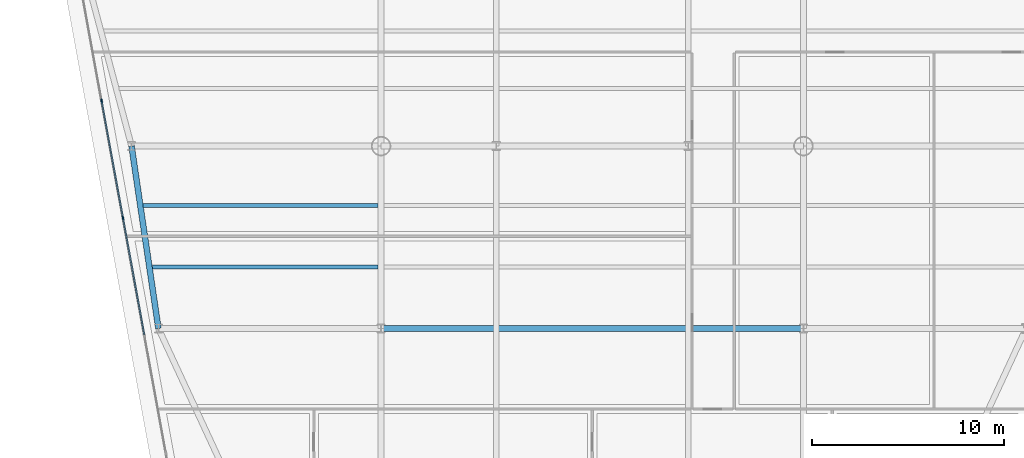
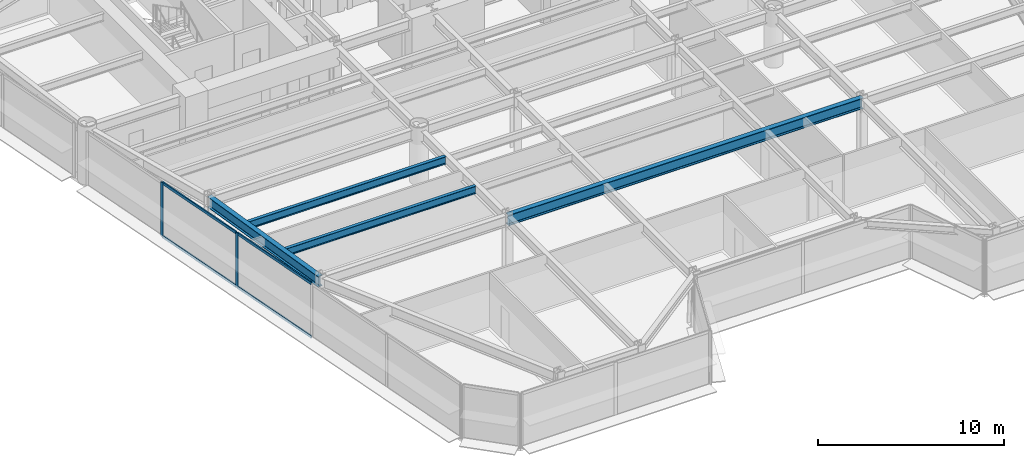
# One storey, part 3 of 15: 6 members, 4 beams, 1 element without a shape of its own.
"""IFC4 building model written with IfcOpenShell, lengths in metres."""

from ifc_helpers import new_model, si_unit, direction, frame, origin, origin_2d, place, context, subcontext, project, spatial, rectangle, i_section, extrude, source, transform, mapped, material, layer, layer_set, material_profile, profile_set, type_object, element, aggregate, save


model = new_model("IFC4")

# Units and contexts
model_context = context("Model", 3, precision=1e-05, world=origin(), true_north=direction((0.0, 1.0)))
body_context = subcontext(model_context, "Body", "Model", "MODEL_VIEW")
ifc_project = project(units=[si_unit("LENGTHUNIT", "METRE"), si_unit("AREAUNIT", "SQUARE_METRE"), si_unit("VOLUMEUNIT", "CUBIC_METRE"), si_unit("PLANEANGLEUNIT", "RADIAN"), si_unit("MASSUNIT", "GRAM", prefix="KILO")], contexts=[model_context])

# Site, building, storey
site_placement = place(None, origin())
site = spatial("IfcSite", under=ifc_project, at=site_placement, CompositionType="ELEMENT")
building_placement = place(site_placement, origin())
building = spatial("IfcBuilding", under=site, at=building_placement, Name="Vaeldorn Concourse Tower", CompositionType="ELEMENT")
storey_placement = place(building_placement, frame((0.0, 0.0, 95.800048828125)))
storey = spatial("IfcBuildingStorey", under=building, at=storey_placement, Name="L24", CompositionType="ELEMENT", Elevation=95.800048828125)

# Beams
ifc_material_1 = material(Name="Steel S355", Category="steel")
ifc_material_profile_1 = material_profile(ifc_material_1, i_section(OverallWidth=0.199951171875, OverallDepth=0.5, WebThickness=0.01025390625, FlangeThickness=0.01611328125, FilletRadius=0.02099609375, at=origin_2d()), Name="IPE 500")
ifc_profile_set_1 = profile_set([ifc_material_profile_1], Name="Steel S355")
beam_type_1 = type_object("IfcBeamType", Name="BM-JS-IPE500", PredefinedType="JOIST", material=ifc_profile_set_1)
shared_shape_1 = source(origin(), body_context, "Body", "SweptSolid", [
    extrude(i_section(OverallWidth=0.199951171875, OverallDepth=0.5, WebThickness=0.01025390625, FlangeThickness=0.01611328125, FilletRadius=0.02099609375, at=origin_2d()), origin(), (0.0, 0.0, 1.0), 11.771728515625),
])
beam_1_placement = place(storey_placement, frame((11.078369140625, 21.199951171875, 3.329833984375), z_axis=(1.0, 0.0, 0.0), x_axis=(0.0, 1.0, 0.0)))
element("IfcBeam", 1, at=beam_1_placement, inside=storey, type_object=beam_type_1, Name="Beam JS-L24-W1-212", PredefinedType="JOIST", context=body_context, shape_type="MappedRepresentation", body=[
    mapped(shared_shape_1, transform((0.0, 0.0, 0.0), scale=1.0)),
])
shared_shape_2 = source(origin(), body_context, "Body", "SweptSolid", [
    extrude(i_section(OverallWidth=0.199951171875, OverallDepth=0.5, WebThickness=0.01025390625, FlangeThickness=0.01611328125, FilletRadius=0.02099609375, at=origin_2d()), origin(), (0.0, 0.0, 1.0), 12.243408203125),
])
beam_2_placement = place(storey_placement, frame((10.606689453125, 24.39990234375, 3.329833984375), z_axis=(1.0, 0.0, 0.0), x_axis=(0.0, 1.0, 0.0)))
element("IfcBeam", 2, at=beam_2_placement, inside=storey, type_object=beam_type_1, Name="Beam JS-L24-W1-244", PredefinedType="JOIST", context=body_context, shape_type="MappedRepresentation", body=[
    mapped(shared_shape_2, transform((0.0, 0.0, 0.0), scale=1.0)),
])
ifc_material_profile_2 = material_profile(ifc_material_1, i_section(OverallWidth=0.300048828125, OverallDepth=0.699951171875, WebThickness=0.01708984375, FlangeThickness=0.031982421875, FilletRadius=0.027099609375, at=origin_2d()), Name="HEB 700")
ifc_profile_set_2 = profile_set([ifc_material_profile_2], Name="Steel S355")
beam_type_2 = type_object("IfcBeamType", Name="BM-PG-HEB700", PredefinedType="BEAM", material=ifc_profile_set_2)
shared_shape_3 = source(origin(), body_context, "Body", "SweptSolid", [
    extrude(i_section(OverallWidth=0.300048828125, OverallDepth=0.699951171875, WebThickness=0.01708984375, FlangeThickness=0.031982421875, FilletRadius=0.027099609375, at=origin_2d()), origin(), (0.0, 0.0, 1.0), 9.6025390625),
])
beam_3_placement = place(storey_placement, frame((10.0, 27.5, 3.22998046875), z_axis=(0.145783835977, -0.989316467652, 0.0), x_axis=(0.989316467652, 0.145783835977, 0.0)))
element("IfcBeam", 3, at=beam_3_placement, inside=storey, type_object=beam_type_2, Name="Beam BM-L24-C-FLW1-C-FLW2", PredefinedType="BEAM", context=body_context, shape_type="MappedRepresentation", body=[
    mapped(shared_shape_3, transform((0.0, 0.0, 0.0), scale=1.0)),
])
shared_shape_4 = source(origin(), body_context, "Body", "SweptSolid", [
    extrude(i_section(OverallWidth=0.300048828125, OverallDepth=0.699951171875, WebThickness=0.01708984375, FlangeThickness=0.031982421875, FilletRadius=0.027099609375, at=origin_2d()), origin(), (0.0, 0.0, 1.0), 22.0),
])
beam_4_placement = place(storey_placement, frame((23.0, 18.0, 3.22998046875), z_axis=(1.0, 0.0, 0.0), x_axis=(0.0, 1.0, 0.0)))
element("IfcBeam", 4, at=beam_4_placement, inside=storey, type_object=beam_type_2, Name="Beam BM-L24-C-TW5-C-TW6", PredefinedType="BEAM", context=body_context, shape_type="MappedRepresentation", body=[
    mapped(shared_shape_4, transform((0.0, 0.0, 0.0), scale=1.0)),
])

# Curtain wall, members
ifc_material_2 = material(Name="Anodised Bronze Aluminium", Category="aluminium")
ifc_layer = layer(ifc_material_2, 0.199951171875)
ifc_layer_set = layer_set([ifc_layer], Name="Anodised Bronze Aluminium")
curtain_wall_type = type_object("IfcCurtainWallType", Name="CW-SYS-02", PredefinedType="NOTDEFINED", material=ifc_layer_set)
curtain_wall_placement = place(storey_placement, origin())
curtain_wall = element("IfcCurtainWall", 5, at=curtain_wall_placement, inside=storey, type_object=curtain_wall_type, Name="Unitised Curtain Wall CW-L24-E11-2", PredefinedType="NOTDEFINED")
ifc_material_profile_3 = material_profile(ifc_material_2, rectangle(XDim=0.074951171875, YDim=0.18994140625, at=origin_2d()), Name="CWM 75x190")
ifc_profile_set_3 = profile_set([ifc_material_profile_3], Name="Anodised Bronze Aluminium")
member_type_1 = type_object("IfcMemberType", Name="CWM-BRONZE-190", PredefinedType="MULLION", material=ifc_profile_set_3)
shared_shape_5 = source(origin(), body_context, "Body", "SweptSolid", [
    extrude(rectangle(XDim=0.074951171875, YDim=0.18994140625, at=origin_2d()), origin(), (0.0, 0.0, 1.0), 3.579833984375),
])
member_1_placement = place(storey_placement, frame((8.4375, 29.8671875, 0.0), z_axis=(0.0, 0.0, 1.0), x_axis=(0.983745706576, 0.179567215253, 0.0)))
member_1 = element("IfcMember", 6, at=member_1_placement, type_object=member_type_1, Name="CW-02 mullion 2", PredefinedType="MULLION", context=body_context, shape_type="MappedRepresentation", body=[
    mapped(shared_shape_5, transform((0.0, 0.0, 0.0), scale=1.0)),
])
member_2_placement = place(storey_placement, frame((9.5537109375, 23.75244140625, 0.0), z_axis=(0.0, 0.0, 1.0), x_axis=(0.983745706576, 0.179567215253, 0.0)))
member_2 = element("IfcMember", 7, at=member_2_placement, type_object=member_type_1, Name="CW-02 mullion 3", PredefinedType="MULLION", context=body_context, shape_type="MappedRepresentation", body=[
    mapped(shared_shape_5, transform((0.0, 0.0, 0.0), scale=1.0)),
])
ifc_material_profile_4 = material_profile(ifc_material_2, rectangle(XDim=0.074951171875, YDim=0.179931640625, at=origin_2d()), Name="CWT 75x180")
ifc_profile_set_4 = profile_set([ifc_material_profile_4], Name="Anodised Bronze Aluminium")
member_type_2 = type_object("IfcMemberType", Name="CWT-BRONZE-180", PredefinedType="USERDEFINED", material=ifc_profile_set_4)
shared_shape_6 = source(origin(), body_context, "Body", "SweptSolid", [
    extrude(rectangle(XDim=0.074951171875, YDim=0.179931640625, at=origin_2d()), origin(), (0.0, 0.0, 1.0), 6.140869140625),
])
member_3_placement = place(storey_placement, frame((8.4443359375, 29.830322265625, 0.037353515625), z_axis=(0.179543139968, -0.983750100834, 0.0), x_axis=(0.983750100834, 0.179543139968, 0.0)))
member_3 = element("IfcMember", 8, at=member_3_placement, type_object=member_type_2, Name="CW-02 transom 2.1", ObjectType="TRANSOM", PredefinedType="USERDEFINED", context=body_context, shape_type="MappedRepresentation", body=[
    mapped(shared_shape_6, transform((0.0, 0.0, 0.0), scale=1.0)),
])
member_4_placement = place(storey_placement, frame((8.4443359375, 29.830322265625, 3.54248046875), z_axis=(0.179543139968, -0.983750100834, 0.0), x_axis=(0.983750100834, 0.179543139968, 0.0)))
member_4 = element("IfcMember", 9, at=member_4_placement, type_object=member_type_2, Name="CW-02 transom 2.2", ObjectType="TRANSOM", PredefinedType="USERDEFINED", context=body_context, shape_type="MappedRepresentation", body=[
    mapped(shared_shape_6, transform((0.0, 0.0, 0.0), scale=1.0)),
])
member_5_placement = place(storey_placement, frame((9.560546875, 23.715576171875, 0.037353515625), z_axis=(0.179543139968, -0.983750100834, 0.0), x_axis=(0.983750100834, 0.179543139968, 0.0)))
member_5 = element("IfcMember", 10, at=member_5_placement, type_object=member_type_2, Name="CW-02 transom 3.1", ObjectType="TRANSOM", PredefinedType="USERDEFINED", context=body_context, shape_type="MappedRepresentation", body=[
    mapped(shared_shape_6, transform((0.0, 0.0, 0.0), scale=1.0)),
])
member_6_placement = place(storey_placement, frame((9.560546875, 23.715576171875, 3.54248046875), z_axis=(0.179543139968, -0.983750100834, 0.0), x_axis=(0.983750100834, 0.179543139968, 0.0)))
member_6 = element("IfcMember", 11, at=member_6_placement, type_object=member_type_2, Name="CW-02 transom 3.2", ObjectType="TRANSOM", PredefinedType="USERDEFINED", context=body_context, shape_type="MappedRepresentation", body=[
    mapped(shared_shape_6, transform((0.0, 0.0, 0.0), scale=1.0)),
])
aggregate(curtain_wall, [member_1, member_2, member_3, member_4, member_5, member_6])

save(model, "model.ifc")
